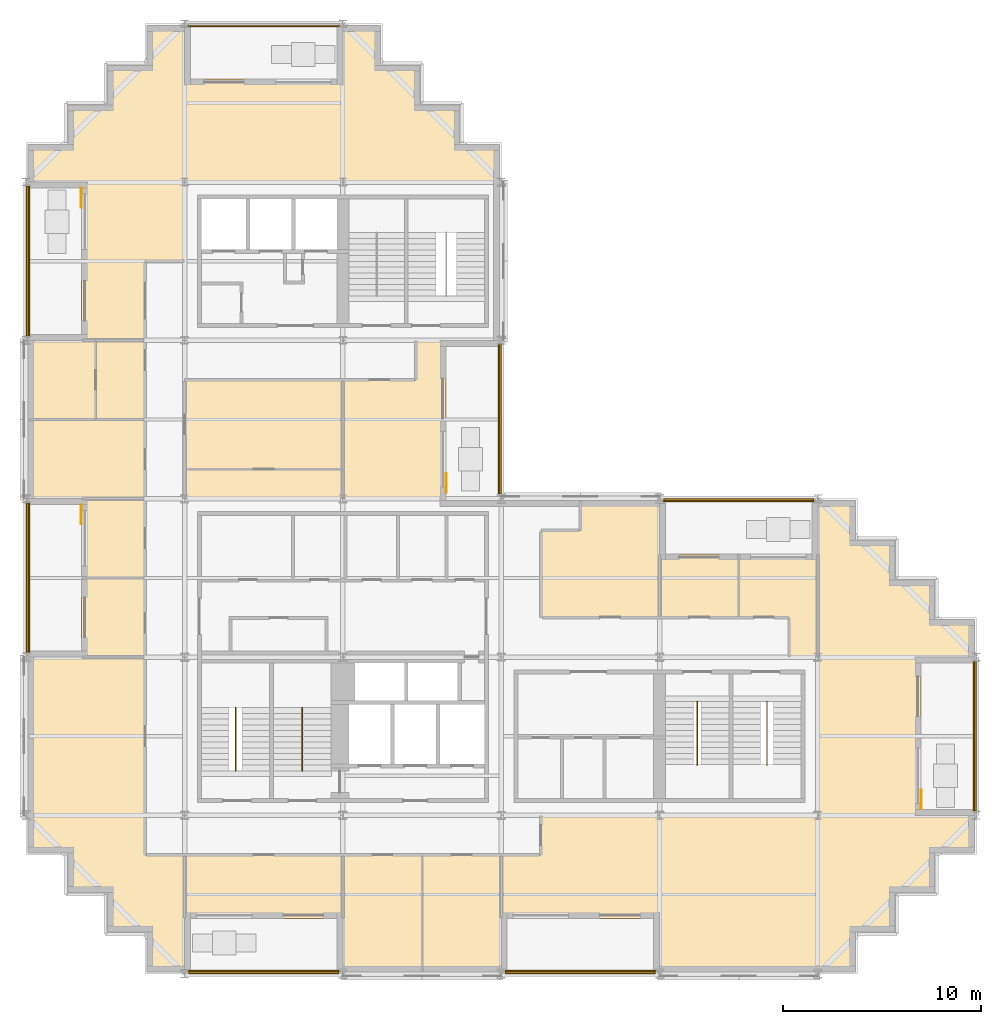
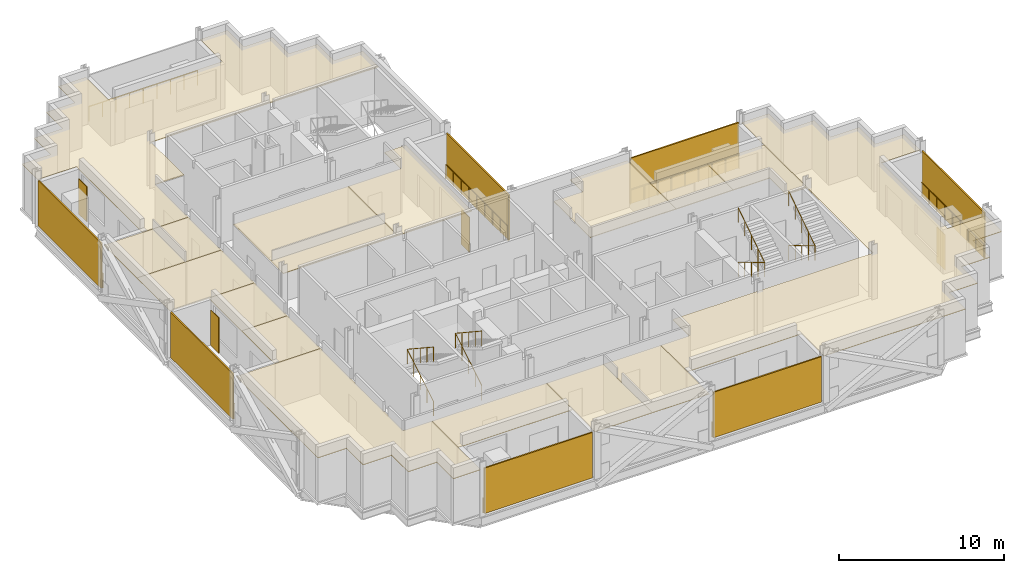
# One storey, part 10 of 12: 17 coverings, 12 railings, 11 shading devices.
"""IFC4 building model written with IfcOpenShell, lengths in metres."""

from ifc_helpers import new_model, si_unit, direction, frame, origin, origin_2d, place, context, subcontext, project, spatial, polyline, rectangle, circle, outline, extrude, material, layer, layer_set, type_object, element, save


model = new_model("IFC4")

# Units and contexts
model_context = context("Model", 3, precision=1e-05, world=origin(), true_north=direction((0.0, 1.0)))
body_context = subcontext(model_context, "Body", "Model", "MODEL_VIEW")
ifc_project = project(units=[si_unit("LENGTHUNIT", "METRE"), si_unit("AREAUNIT", "SQUARE_METRE"), si_unit("VOLUMEUNIT", "CUBIC_METRE"), si_unit("PLANEANGLEUNIT", "RADIAN"), si_unit("MASSUNIT", "GRAM", prefix="KILO")], contexts=[model_context])

# Site, building, storey
site_placement = place(None, origin())
site = spatial("IfcSite", under=ifc_project, at=site_placement, CompositionType="ELEMENT")
building_placement = place(site_placement, origin())
building = spatial("IfcBuilding", under=site, at=building_placement, Name="Immortelle Media Tower", CompositionType="ELEMENT")
storey_placement = place(building_placement, frame((0.0, 0.0, 145.199951171875)))
storey = spatial("IfcBuildingStorey", under=building, at=storey_placement, Name="L29", CompositionType="ELEMENT", Elevation=145.199951171875)

# Railings
ifc_material_1 = material(Name="Powder-coated aluminium fretwork panel, laminated glass backing", Category="aluminium")
railing_type_1 = type_object("IfcRailingType", Name="Fretwork balustrade 1100", PredefinedType="BALUSTRADE", material=ifc_material_1)
railing_1_placement = place(storey_placement, frame((8.20556640625, 0.139892578125, 0.0)))
element("IfcRailing", 1, at=railing_1_placement, inside=storey, type_object=railing_type_1, Name="Fretwork balustrade L29 S0", PredefinedType="BALUSTRADE", context=body_context, shape_type="SweptSolid", body=[
    extrude(circle(Radius=0.02490234375, at=origin_2d()), frame((0.0, 0.0, 1.0751953125), z_axis=(1.0, 0.0, 0.0), x_axis=(0.0, 1.0, 0.0)), (0.0, 0.0, 1.0), 7.58251953125),
    extrude(circle(Radius=0.02001953125, at=origin_2d()), origin(), (0.0, 0.0, 1.0), 1.050048828125),
    extrude(circle(Radius=0.02001953125, at=origin_2d()), frame((0.94775390625, 0.0, 0.0)), (0.0, 0.0, 1.0), 1.050048828125),
    extrude(circle(Radius=0.02001953125, at=origin_2d()), frame((1.8955078125, 0.0, 0.0)), (0.0, 0.0, 1.0), 1.050048828125),
    extrude(circle(Radius=0.02001953125, at=origin_2d()), frame((2.843505859375, 0.0, 0.0)), (0.0, 0.0, 1.0), 1.050048828125),
    extrude(circle(Radius=0.02001953125, at=origin_2d()), frame((3.791259765625, 0.0, 0.0)), (0.0, 0.0, 1.0), 1.050048828125),
    extrude(circle(Radius=0.02001953125, at=origin_2d()), frame((4.739013671875, 0.0, 0.0)), (0.0, 0.0, 1.0), 1.050048828125),
    extrude(circle(Radius=0.02001953125, at=origin_2d()), frame((5.68701171875, 0.0, 0.0)), (0.0, 0.0, 1.0), 1.050048828125),
    extrude(circle(Radius=0.02001953125, at=origin_2d()), frame((6.634765625, 0.0, 0.0)), (0.0, 0.0, 1.0), 1.050048828125),
    extrude(circle(Radius=0.02001953125, at=origin_2d()), frame((7.58251953125, 0.0, 0.0)), (0.0, 0.0, 1.0), 1.050048828125),
])
railing_2_placement = place(storey_placement, frame((24.2119140625, 0.139892578125, 0.0)))
element("IfcRailing", 2, at=railing_2_placement, inside=storey, type_object=railing_type_1, Name="Fretwork balustrade L29 S2", PredefinedType="BALUSTRADE", context=body_context, shape_type="SweptSolid", body=[
    extrude(circle(Radius=0.02490234375, at=origin_2d()), frame((0.0, 0.0, 1.0751953125), z_axis=(1.0, 0.0, 0.0), x_axis=(0.0, 1.0, 0.0)), (0.0, 0.0, 1.0), 7.576171875),
    extrude(circle(Radius=0.02001953125, at=origin_2d()), origin(), (0.0, 0.0, 1.0), 1.050048828125),
    extrude(circle(Radius=0.02001953125, at=origin_2d()), frame((0.947021484375, 0.0, 0.0)), (0.0, 0.0, 1.0), 1.050048828125),
    extrude(circle(Radius=0.02001953125, at=origin_2d()), frame((1.89404296875, 0.0, 0.0)), (0.0, 0.0, 1.0), 1.050048828125),
    extrude(circle(Radius=0.02001953125, at=origin_2d()), frame((2.841064453125, 0.0, 0.0)), (0.0, 0.0, 1.0), 1.050048828125),
    extrude(circle(Radius=0.02001953125, at=origin_2d()), frame((3.7880859375, 0.0, 0.0)), (0.0, 0.0, 1.0), 1.050048828125),
    extrude(circle(Radius=0.02001953125, at=origin_2d()), frame((4.735107421875, 0.0, 0.0)), (0.0, 0.0, 1.0), 1.050048828125),
    extrude(circle(Radius=0.02001953125, at=origin_2d()), frame((5.68212890625, 0.0, 0.0)), (0.0, 0.0, 1.0), 1.050048828125),
    extrude(circle(Radius=0.02001953125, at=origin_2d()), frame((6.629150390625, 0.0, 0.0)), (0.0, 0.0, 1.0), 1.050048828125),
    extrude(circle(Radius=0.02001953125, at=origin_2d()), frame((7.576171875, 0.0, 0.0)), (0.0, 0.0, 1.0), 1.050048828125),
])
railing_3_placement = place(storey_placement, frame((47.860107421875, 8.217041015625, 0.0)))
element("IfcRailing", 3, at=railing_3_placement, inside=storey, type_object=railing_type_1, Name="Fretwork balustrade L29 E0", PredefinedType="BALUSTRADE", context=body_context, shape_type="SweptSolid", body=[
    extrude(circle(Radius=0.02490234375, at=origin_2d()), frame((0.0, 0.0, 1.0751953125), z_axis=(0.0, 1.0, 0.0), x_axis=(-1.0, 0.0, 0.0)), (0.0, 0.0, 1.0), 7.56591796875),
    extrude(circle(Radius=0.02001953125, at=origin_2d()), origin(), (0.0, 0.0, 1.0), 1.050048828125),
    extrude(circle(Radius=0.02001953125, at=origin_2d()), frame((0.0, 0.94580078125, 0.0)), (0.0, 0.0, 1.0), 1.050048828125),
    extrude(circle(Radius=0.02001953125, at=origin_2d()), frame((0.0, 1.8916015625, 0.0)), (0.0, 0.0, 1.0), 1.050048828125),
    extrude(circle(Radius=0.02001953125, at=origin_2d()), frame((0.0, 2.837158203125, 0.0)), (0.0, 0.0, 1.0), 1.050048828125),
    extrude(circle(Radius=0.02001953125, at=origin_2d()), frame((0.0, 3.782958984375, 0.0)), (0.0, 0.0, 1.0), 1.050048828125),
    extrude(circle(Radius=0.02001953125, at=origin_2d()), frame((0.0, 4.728759765625, 0.0)), (0.0, 0.0, 1.0), 1.050048828125),
    extrude(circle(Radius=0.02001953125, at=origin_2d()), frame((0.0, 5.67431640625, 0.0)), (0.0, 0.0, 1.0), 1.050048828125),
    extrude(circle(Radius=0.02001953125, at=origin_2d()), frame((0.0, 6.6201171875, 0.0)), (0.0, 0.0, 1.0), 1.050048828125),
    extrude(circle(Radius=0.02001953125, at=origin_2d()), frame((0.0, 7.56591796875, 0.0)), (0.0, 0.0, 1.0), 1.050048828125),
])
railing_4_placement = place(storey_placement, frame((39.79443359375, 23.860107421875, 0.0)))
element("IfcRailing", 4, at=railing_4_placement, inside=storey, type_object=railing_type_1, Name="Fretwork balustrade L29 N0", PredefinedType="BALUSTRADE", context=body_context, shape_type="SweptSolid", body=[
    extrude(circle(Radius=0.02490234375, at=origin_2d()), frame((0.0, 0.0, 1.0751953125), z_axis=(-1.0, 0.0, 0.0), x_axis=(0.0, -1.0, 0.0)), (0.0, 0.0, 1.0), 7.58251953125),
    extrude(circle(Radius=0.02001953125, at=origin_2d()), origin(), (0.0, 0.0, 1.0), 1.050048828125),
    extrude(circle(Radius=0.02001953125, at=origin_2d()), frame((-0.94775390625, 0.0, 0.0)), (0.0, 0.0, 1.0), 1.050048828125),
    extrude(circle(Radius=0.02001953125, at=origin_2d()), frame((-1.8955078125, 0.0, 0.0)), (0.0, 0.0, 1.0), 1.050048828125),
    extrude(circle(Radius=0.02001953125, at=origin_2d()), frame((-2.843505859375, 0.0, 0.0)), (0.0, 0.0, 1.0), 1.050048828125),
    extrude(circle(Radius=0.02001953125, at=origin_2d()), frame((-3.791259765625, 0.0, 0.0)), (0.0, 0.0, 1.0), 1.050048828125),
    extrude(circle(Radius=0.02001953125, at=origin_2d()), frame((-4.739013671875, 0.0, 0.0)), (0.0, 0.0, 1.0), 1.050048828125),
    extrude(circle(Radius=0.02001953125, at=origin_2d()), frame((-5.68701171875, 0.0, 0.0)), (0.0, 0.0, 1.0), 1.050048828125),
    extrude(circle(Radius=0.02001953125, at=origin_2d()), frame((-6.634765625, 0.0, 0.0)), (0.0, 0.0, 1.0), 1.050048828125),
    extrude(circle(Radius=0.02001953125, at=origin_2d()), frame((-7.58251953125, 0.0, 0.0)), (0.0, 0.0, 1.0), 1.050048828125),
])
railing_5_placement = place(storey_placement, frame((23.860107421875, 24.237548828125, 0.0)))
element("IfcRailing", 5, at=railing_5_placement, inside=storey, type_object=railing_type_1, Name="Fretwork balustrade L29 E0", PredefinedType="BALUSTRADE", context=body_context, shape_type="SweptSolid", body=[
    extrude(circle(Radius=0.02490234375, at=origin_2d()), frame((0.0, 0.0, 1.0751953125), z_axis=(0.0, 1.0, 0.0), x_axis=(-1.0, 0.0, 0.0)), (0.0, 0.0, 1.0), 7.56298828125),
    extrude(circle(Radius=0.02001953125, at=origin_2d()), origin(), (0.0, 0.0, 1.0), 1.050048828125),
    extrude(circle(Radius=0.02001953125, at=origin_2d()), frame((0.0, 0.9453125, 0.0)), (0.0, 0.0, 1.0), 1.050048828125),
    extrude(circle(Radius=0.02001953125, at=origin_2d()), frame((0.0, 1.890625, 0.0)), (0.0, 0.0, 1.0), 1.050048828125),
    extrude(circle(Radius=0.02001953125, at=origin_2d()), frame((0.0, 2.836181640625, 0.0)), (0.0, 0.0, 1.0), 1.050048828125),
    extrude(circle(Radius=0.02001953125, at=origin_2d()), frame((0.0, 3.781494140625, 0.0)), (0.0, 0.0, 1.0), 1.050048828125),
    extrude(circle(Radius=0.02001953125, at=origin_2d()), frame((0.0, 4.726806640625, 0.0)), (0.0, 0.0, 1.0), 1.050048828125),
    extrude(circle(Radius=0.02001953125, at=origin_2d()), frame((0.0, 5.67236328125, 0.0)), (0.0, 0.0, 1.0), 1.050048828125),
    extrude(circle(Radius=0.02001953125, at=origin_2d()), frame((0.0, 6.61767578125, 0.0)), (0.0, 0.0, 1.0), 1.050048828125),
    extrude(circle(Radius=0.02001953125, at=origin_2d()), frame((0.0, 7.56298828125, 0.0)), (0.0, 0.0, 1.0), 1.050048828125),
])
railing_6_placement = place(storey_placement, frame((15.802978515625, 47.860107421875, 0.0)))
element("IfcRailing", 6, at=railing_6_placement, inside=storey, type_object=railing_type_1, Name="Fretwork balustrade L29 N0", PredefinedType="BALUSTRADE", context=body_context, shape_type="SweptSolid", body=[
    extrude(circle(Radius=0.02490234375, at=origin_2d()), frame((0.0, 0.0, 1.0751953125), z_axis=(-1.0, 0.0, 0.0), x_axis=(0.0, -1.0, 0.0)), (0.0, 0.0, 1.0), 7.60595703125),
    extrude(circle(Radius=0.02001953125, at=origin_2d()), origin(), (0.0, 0.0, 1.0), 1.050048828125),
    extrude(circle(Radius=0.02001953125, at=origin_2d()), frame((-0.95068359375, 0.0, 0.0)), (0.0, 0.0, 1.0), 1.050048828125),
    extrude(circle(Radius=0.02001953125, at=origin_2d()), frame((-1.9013671875, 0.0, 0.0)), (0.0, 0.0, 1.0), 1.050048828125),
    extrude(circle(Radius=0.02001953125, at=origin_2d()), frame((-2.852294921875, 0.0, 0.0)), (0.0, 0.0, 1.0), 1.050048828125),
    extrude(circle(Radius=0.02001953125, at=origin_2d()), frame((-3.802978515625, 0.0, 0.0)), (0.0, 0.0, 1.0), 1.050048828125),
    extrude(circle(Radius=0.02001953125, at=origin_2d()), frame((-4.753662109375, 0.0, 0.0)), (0.0, 0.0, 1.0), 1.050048828125),
    extrude(circle(Radius=0.02001953125, at=origin_2d()), frame((-5.70458984375, 0.0, 0.0)), (0.0, 0.0, 1.0), 1.050048828125),
    extrude(circle(Radius=0.02001953125, at=origin_2d()), frame((-6.6552734375, 0.0, 0.0)), (0.0, 0.0, 1.0), 1.050048828125),
    extrude(circle(Radius=0.02001953125, at=origin_2d()), frame((-7.60595703125, 0.0, 0.0)), (0.0, 0.0, 1.0), 1.050048828125),
])
railing_7_placement = place(storey_placement, frame((0.139892578125, 39.81201171875, 0.0)))
element("IfcRailing", 7, at=railing_7_placement, inside=storey, type_object=railing_type_1, Name="Fretwork balustrade L29 W0", PredefinedType="BALUSTRADE", context=body_context, shape_type="SweptSolid", body=[
    extrude(circle(Radius=0.02490234375, at=origin_2d()), frame((0.0, 0.0, 1.0751953125), z_axis=(0.0, -1.0, 0.0), x_axis=(1.0, 0.0, 0.0)), (0.0, 0.0, 1.0), 7.612548828125),
    extrude(circle(Radius=0.02001953125, at=origin_2d()), origin(), (0.0, 0.0, 1.0), 1.050048828125),
    extrude(circle(Radius=0.02001953125, at=origin_2d()), frame((0.0, -0.95166015625, 0.0)), (0.0, 0.0, 1.0), 1.050048828125),
    extrude(circle(Radius=0.02001953125, at=origin_2d()), frame((0.0, -1.903076171875, 0.0)), (0.0, 0.0, 1.0), 1.050048828125),
    extrude(circle(Radius=0.02001953125, at=origin_2d()), frame((0.0, -2.854736328125, 0.0)), (0.0, 0.0, 1.0), 1.050048828125),
    extrude(circle(Radius=0.02001953125, at=origin_2d()), frame((0.0, -3.80615234375, 0.0)), (0.0, 0.0, 1.0), 1.050048828125),
    extrude(circle(Radius=0.02001953125, at=origin_2d()), frame((0.0, -4.7578125, 0.0)), (0.0, 0.0, 1.0), 1.050048828125),
    extrude(circle(Radius=0.02001953125, at=origin_2d()), frame((0.0, -5.70947265625, 0.0)), (0.0, 0.0, 1.0), 1.050048828125),
    extrude(circle(Radius=0.02001953125, at=origin_2d()), frame((0.0, -6.660888671875, 0.0)), (0.0, 0.0, 1.0), 1.050048828125),
    extrude(circle(Radius=0.02001953125, at=origin_2d()), frame((0.0, -7.612548828125, 0.0)), (0.0, 0.0, 1.0), 1.050048828125),
])
railing_8_placement = place(storey_placement, frame((0.139892578125, 23.800537109375, 0.0)))
element("IfcRailing", 8, at=railing_8_placement, inside=storey, type_object=railing_type_1, Name="Fretwork balustrade L29 W2", PredefinedType="BALUSTRADE", context=body_context, shape_type="SweptSolid", body=[
    extrude(circle(Radius=0.02490234375, at=origin_2d()), frame((0.0, 0.0, 1.0751953125), z_axis=(0.0, -1.0, 0.0), x_axis=(1.0, 0.0, 0.0)), (0.0, 0.0, 1.0), 7.56298828125),
    extrude(circle(Radius=0.02001953125, at=origin_2d()), origin(), (0.0, 0.0, 1.0), 1.050048828125),
    extrude(circle(Radius=0.02001953125, at=origin_2d()), frame((0.0, -0.9453125, 0.0)), (0.0, 0.0, 1.0), 1.050048828125),
    extrude(circle(Radius=0.02001953125, at=origin_2d()), frame((0.0, -1.890625, 0.0)), (0.0, 0.0, 1.0), 1.050048828125),
    extrude(circle(Radius=0.02001953125, at=origin_2d()), frame((0.0, -2.836181640625, 0.0)), (0.0, 0.0, 1.0), 1.050048828125),
    extrude(circle(Radius=0.02001953125, at=origin_2d()), frame((0.0, -3.781494140625, 0.0)), (0.0, 0.0, 1.0), 1.050048828125),
    extrude(circle(Radius=0.02001953125, at=origin_2d()), frame((0.0, -4.726806640625, 0.0)), (0.0, 0.0, 1.0), 1.050048828125),
    extrude(circle(Radius=0.02001953125, at=origin_2d()), frame((0.0, -5.67236328125, 0.0)), (0.0, 0.0, 1.0), 1.050048828125),
    extrude(circle(Radius=0.02001953125, at=origin_2d()), frame((0.0, -6.61767578125, 0.0)), (0.0, 0.0, 1.0), 1.050048828125),
    extrude(circle(Radius=0.02001953125, at=origin_2d()), frame((0.0, -7.56298828125, 0.0)), (0.0, 0.0, 1.0), 1.050048828125),
])

# Shading devices
ifc_material_2 = material(Name="Pale aluminium louvre blades", Category="aluminium")
ifc_layer_1 = layer(ifc_material_2, 0.10009765625)
ifc_layer_set_1 = layer_set([ifc_layer_1], Name="Pale aluminium louvre blades")
shading_device_type_1 = type_object("IfcShadingDeviceType", Name="Jalousie screen 100", PredefinedType="JALOUSIE", material=ifc_layer_set_1)
shading_device_1_placement = place(storey_placement, frame((11.996826171875, 0.050048828125, 0.0), z_axis=(0.0, 0.0, 1.0), x_axis=(1.0, 0.0, 0.0)))
element("IfcShadingDevice", 9, at=shading_device_1_placement, inside=storey, type_object=shading_device_type_1, Name="Jalousie screen L29 S0", PredefinedType="JALOUSIE", context=body_context, shape_type="SweptSolid", body=[
    extrude(rectangle(XDim=7.58251953125, YDim=0.10009765625, at=origin_2d()), origin(), (0.0, 0.0, 1.0), 3.35693359375),
])
shading_device_2_placement = place(storey_placement, frame((28.0, 0.050048828125, 0.0), z_axis=(0.0, 0.0, 1.0), x_axis=(1.0, 0.0, 0.0)))
element("IfcShadingDevice", 10, at=shading_device_2_placement, inside=storey, type_object=shading_device_type_1, Name="Jalousie screen L29 S2", PredefinedType="JALOUSIE", context=body_context, shape_type="SweptSolid", body=[
    extrude(rectangle(XDim=7.575927734375, YDim=0.10009765625, at=origin_2d()), origin(), (0.0, 0.0, 1.0), 3.35693359375),
])
shading_device_3_placement = place(storey_placement, frame((47.949951171875, 12.0, 0.0), z_axis=(0.0, 0.0, 1.0), x_axis=(0.0, 1.0, 0.0)))
element("IfcShadingDevice", 11, at=shading_device_3_placement, inside=storey, type_object=shading_device_type_1, Name="Jalousie screen L29 E0", PredefinedType="JALOUSIE", context=body_context, shape_type="SweptSolid", body=[
    extrude(rectangle(XDim=7.56591796875, YDim=0.10009765625, at=origin_2d()), origin(), (0.0, 0.0, 1.0), 3.35693359375),
])
shading_device_4_placement = place(storey_placement, frame((36.003173828125, 23.949951171875, 0.0), z_axis=(0.0, 0.0, 1.0), x_axis=(-1.0, 0.0, 0.0)))
element("IfcShadingDevice", 12, at=shading_device_4_placement, inside=storey, type_object=shading_device_type_1, Name="Jalousie screen L29 N0", PredefinedType="JALOUSIE", context=body_context, shape_type="SweptSolid", body=[
    extrude(rectangle(XDim=7.58251953125, YDim=0.10009765625, at=origin_2d()), origin(), (0.0, 0.0, 1.0), 3.35693359375),
])
shading_device_5_placement = place(storey_placement, frame((23.949951171875, 28.01904296875, 0.0), z_axis=(0.0, 0.0, 1.0), x_axis=(0.0, 1.0, 0.0)))
element("IfcShadingDevice", 13, at=shading_device_5_placement, inside=storey, type_object=shading_device_type_1, Name="Jalousie screen L29 E0", PredefinedType="JALOUSIE", context=body_context, shape_type="SweptSolid", body=[
    extrude(rectangle(XDim=7.56298828125, YDim=0.10009765625, at=origin_2d()), origin(), (0.0, 0.0, 1.0), 3.35693359375),
])
shading_device_6_placement = place(storey_placement, frame((0.050048828125, 36.005859375, 0.0), z_axis=(0.0, 0.0, 1.0), x_axis=(0.0, -1.0, 0.0)))
element("IfcShadingDevice", 14, at=shading_device_6_placement, inside=storey, type_object=shading_device_type_1, Name="Jalousie screen L29 W0", PredefinedType="JALOUSIE", context=body_context, shape_type="SweptSolid", body=[
    extrude(rectangle(XDim=7.612548828125, YDim=0.10009765625, at=origin_2d()), origin(), (0.0, 0.0, 1.0), 3.35693359375),
])
shading_device_7_placement = place(storey_placement, frame((0.050048828125, 20.01904296875, 0.0), z_axis=(0.0, 0.0, 1.0), x_axis=(0.0, -1.0, 0.0)))
element("IfcShadingDevice", 15, at=shading_device_7_placement, inside=storey, type_object=shading_device_type_1, Name="Jalousie screen L29 W2", PredefinedType="JALOUSIE", context=body_context, shape_type="SweptSolid", body=[
    extrude(rectangle(XDim=7.56298828125, YDim=0.10009765625, at=origin_2d()), origin(), (0.0, 0.0, 1.0), 3.35693359375),
])
ifc_material_3 = material(Name="Pale aluminium louvre blades in a folding frame", Category="aluminium")
ifc_layer_2 = layer(ifc_material_3, 0.050048828125)
ifc_layer_set_2 = layer_set([ifc_layer_2], Name="Pale aluminium louvre blades in a folding frame")
shading_device_type_2 = type_object("IfcShadingDeviceType", Name="Louvred loggia shutter", PredefinedType="SHUTTER", material=ifc_layer_set_2)
for number, where, z_axis, x_axis, name in (
    (16, (45.22509765625, 8.800048828125, 0.0), (0.0, 0.0, 1.0), (0.0, 1.0, 0.0), "Loggia shutter L29 E0"),
    (17, (21.22509765625, 24.800048828125, 0.0), (0.0, 0.0, 1.0), (0.0, 1.0, 0.0), "Loggia shutter L29 E0"),
    (18, (2.77490234375, 39.199951171875, 0.0), (0.0, 0.0, 1.0), (0.0, -1.0, 0.0), "Loggia shutter L29 W0"),
    (19, (2.77490234375, 23.199951171875, 0.0), (0.0, 0.0, 1.0), (0.0, -1.0, 0.0), "Loggia shutter L29 W2"),
):
    element("IfcShadingDevice", number, at=place(storey_placement, frame(where, z_axis=z_axis, x_axis=x_axis)), inside=storey, type_object=shading_device_type_2, Name=name, PredefinedType="SHUTTER", context=body_context, shape_type="SweptSolid", body=[
        extrude(rectangle(XDim=1.0, YDim=0.050048828125, at=origin_2d()), origin(), (0.0, 0.0, 1.0), 2.60009765625),
    ])

# Railings
ifc_material_4 = material(Name="Stainless steel AISI 316", Category="steel")
railing_type_2 = type_object("IfcRailingType", Name="Stair guard 1100", PredefinedType="GUARDRAIL", material=ifc_material_4)
for number, where, name in (
    (20, (10.574951171875, 10.25, 0.175048828125), "Stair guard SW1"),
    (21, (13.949951171875, 10.25, 0.175048828125), "Stair guard SW2"),
):
    element("IfcRailing", number, at=place(storey_placement, frame(where)), inside=storey, type_object=railing_type_2, Name=name, PredefinedType="GUARDRAIL", context=body_context, shape_type="SweptSolid", body=[
        extrude(circle(Radius=0.02392578125, at=origin_2d()), frame((0.0, 0.0, 1.076171875), z_axis=(0.0, 0.856177665481, 0.516681531633), x_axis=(-1.0, 0.0, 0.0)), (0.0, 0.0, 1.0), 3.725830078125),
        extrude(circle(Radius=0.02392578125, at=origin_2d()), frame((0.0, 3.18994140625, 3.0009765625), z_axis=(0.0, -0.835271834381, 0.549837214719), x_axis=(1.0, 0.0, 0.0)), (0.0, 0.0, 1.0), 3.819091796875),
        extrude(circle(Radius=0.02099609375, at=origin_2d()), origin(), (0.0, 0.0, 1.0), 1.052001953125),
        extrude(circle(Radius=0.02099609375, at=origin_2d()), frame((0.0, 0.79736328125, 0.481201171875)), (0.0, 0.0, 1.0), 1.052001953125),
        extrude(circle(Radius=0.02099609375, at=origin_2d()), frame((0.0, 1.594970703125, 0.96240234375)), (0.0, 0.0, 1.0), 1.052001953125),
        extrude(circle(Radius=0.02099609375, at=origin_2d()), frame((0.0, 2.392578125, 1.44384765625)), (0.0, 0.0, 1.0), 1.052001953125),
        extrude(circle(Radius=0.02099609375, at=origin_2d()), frame((0.0, 3.18994140625, 1.925048828125)), (0.0, 0.0, 1.0), 1.052001953125),
        extrude(circle(Radius=0.02099609375, at=origin_2d()), frame((0.0, 2.392578125, 2.449951171875)), (0.0, 0.0, 1.0), 1.052001953125),
        extrude(circle(Radius=0.02099609375, at=origin_2d()), frame((0.0, 1.594970703125, 2.97509765625)), (0.0, 0.0, 1.0), 1.052001953125),
        extrude(circle(Radius=0.02099609375, at=origin_2d()), frame((0.0, 0.79736328125, 3.5)), (0.0, 0.0, 1.0), 1.052001953125),
        extrude(circle(Radius=0.02099609375, at=origin_2d()), frame((0.0, 0.0, 4.02490234375)), (0.0, 0.0, 1.0), 1.052001953125),
    ])
for number, where, name in (
    (22, (33.89990234375, 13.75, 0.175048828125), "Stair guard SE1"),
    (23, (37.425048828125, 13.75, 0.175048828125), "Stair guard SE2"),
):
    element("IfcRailing", number, at=place(storey_placement, frame(where)), inside=storey, type_object=railing_type_2, Name=name, PredefinedType="GUARDRAIL", context=body_context, shape_type="SweptSolid", body=[
        extrude(circle(Radius=0.02392578125, at=origin_2d()), frame((0.0, 0.0, 1.076171875), z_axis=(0.0, -0.856177665481, 0.516681531633), x_axis=(1.0, 0.0, 0.0)), (0.0, 0.0, 1.0), 3.725830078125),
        extrude(circle(Radius=0.02392578125, at=origin_2d()), frame((0.0, -3.18994140625, 3.0009765625), z_axis=(0.0, 0.835271834381, 0.549837214719), x_axis=(-1.0, 0.0, 0.0)), (0.0, 0.0, 1.0), 3.819091796875),
        extrude(circle(Radius=0.02099609375, at=origin_2d()), origin(), (0.0, 0.0, 1.0), 1.052001953125),
        extrude(circle(Radius=0.02099609375, at=origin_2d()), frame((0.0, -0.79736328125, 0.481201171875)), (0.0, 0.0, 1.0), 1.052001953125),
        extrude(circle(Radius=0.02099609375, at=origin_2d()), frame((0.0, -1.594970703125, 0.96240234375)), (0.0, 0.0, 1.0), 1.052001953125),
        extrude(circle(Radius=0.02099609375, at=origin_2d()), frame((0.0, -2.392578125, 1.44384765625)), (0.0, 0.0, 1.0), 1.052001953125),
        extrude(circle(Radius=0.02099609375, at=origin_2d()), frame((0.0, -3.18994140625, 1.925048828125)), (0.0, 0.0, 1.0), 1.052001953125),
        extrude(circle(Radius=0.02099609375, at=origin_2d()), frame((0.0, -2.392578125, 2.449951171875)), (0.0, 0.0, 1.0), 1.052001953125),
        extrude(circle(Radius=0.02099609375, at=origin_2d()), frame((0.0, -1.594970703125, 2.97509765625)), (0.0, 0.0, 1.0), 1.052001953125),
        extrude(circle(Radius=0.02099609375, at=origin_2d()), frame((0.0, -0.79736328125, 3.5)), (0.0, 0.0, 1.0), 1.052001953125),
        extrude(circle(Radius=0.02099609375, at=origin_2d()), frame((0.0, 0.0, 4.02490234375)), (0.0, 0.0, 1.0), 1.052001953125),
    ])

# Coverings
ifc_material_5 = material(Name="Mineral fibre tile ceiling")
ifc_layer_3 = layer(ifc_material_5, 0.050048828125)
ifc_layer_set_3 = layer_set([ifc_layer_3], Name="Mineral fibre tile ceiling")
covering_type = type_object("IfcCoveringType", Name="Suspended ceiling 50", PredefinedType="CEILING", material=ifc_layer_set_3)
covering_1_placement = place(storey_placement, frame((0.0, 0.0, 3.238037109375)))
element("IfcCovering", 24, at=covering_1_placement, inside=storey, type_object=covering_type, Name="Ceiling L29-001", PredefinedType="CEILING", context=body_context, shape_type="SweptSolid", body=[
    extrude(outline(polyline([(16.0, 2.800048828125), (16.0, 6.0), (20.0, 6.0), (20.0, 0.10009765625), (16.0, 0.10009765625), (16.0, 2.800048828125)])), origin(), (0.0, 0.0, 1.0), 0.050048828125),
])
covering_2_placement = place(storey_placement, frame((0.0, 0.0, 3.238037109375)))
element("IfcCovering", 25, at=covering_2_placement, inside=storey, type_object=covering_type, Name="Ceiling L29-002", PredefinedType="CEILING", context=body_context, shape_type="SweptSolid", body=[
    extrude(outline(polyline([(24.0, 6.0), (24.0, 2.800048828125), (24.0, 0.10009765625), (20.0, 0.10009765625), (20.0, 6.0), (24.0, 6.0)])), origin(), (0.0, 0.0, 1.0), 0.050048828125),
])
covering_3_placement = place(storey_placement, frame((0.0, 0.0, 3.238037109375)))
element("IfcCovering", 26, at=covering_3_placement, inside=storey, type_object=covering_type, Name="Ceiling L29-003", PredefinedType="CEILING", context=body_context, shape_type="SweptSolid", body=[
    extrude(outline(polyline([(8.0, 2.800048828125), (8.0, 6.0), (16.0, 6.0), (16.0, 2.800048828125), (8.0, 2.800048828125)])), origin(), (0.0, 0.0, 1.0), 0.050048828125),
])
covering_4_placement = place(storey_placement, frame((0.0, 0.0, 3.238037109375)))
element("IfcCovering", 27, at=covering_4_placement, inside=storey, type_object=covering_type, Name="Ceiling L29-004", PredefinedType="CEILING", context=body_context, shape_type="SweptSolid", body=[
    extrude(outline(polyline([(26.0, 6.0), (26.0, 8.0), (32.0, 8.0), (40.0, 8.0), (40.0, 16.0), (40.0, 21.199951171875), (40.0, 23.89990234375), (41.89990234375, 23.89990234375), (41.89990234375, 21.89990234375), (43.89990234375, 21.89990234375), (43.89990234375, 19.89990234375), (45.89990234375, 19.89990234375), (45.89990234375, 17.89990234375), (47.89990234375, 17.89990234375), (47.89990234375, 16.0), (45.199951171875, 16.0), (45.199951171875, 8.0), (47.89990234375, 8.0), (47.89990234375, 6.10009765625), (45.89990234375, 6.10009765625), (45.89990234375, 4.10009765625), (43.89990234375, 4.10009765625), (43.89990234375, 2.10009765625), (41.89990234375, 2.10009765625), (41.89990234375, 0.10009765625), (40.0, 0.10009765625), (32.0, 0.10009765625), (32.0, 2.800048828125), (24.0, 2.800048828125), (24.0, 6.0), (26.0, 6.0)])), origin(), (0.0, 0.0, 1.0), 0.050048828125),
])
covering_5_placement = place(storey_placement, frame((0.0, 0.0, 3.238037109375)))
element("IfcCovering", 28, at=covering_5_placement, inside=storey, type_object=covering_type, Name="Ceiling L29-005", PredefinedType="CEILING", context=body_context, shape_type="SweptSolid", body=[
    extrude(outline(polyline([(6.10009765625, 2.10009765625), (4.10009765625, 2.10009765625), (4.10009765625, 4.10009765625), (2.10009765625, 4.10009765625), (2.10009765625, 6.10009765625), (0.10009765625, 6.10009765625), (0.10009765625, 8.0), (0.10009765625, 16.0), (2.800048828125, 16.0), (6.0, 16.0), (6.0, 8.0), (6.0, 6.0), (8.0, 6.0), (8.0, 2.800048828125), (8.0, 0.10009765625), (6.10009765625, 0.10009765625), (6.10009765625, 2.10009765625)])), origin(), (0.0, 0.0, 1.0), 0.050048828125),
])
covering_6_placement = place(storey_placement, frame((0.0, 0.0, 3.238037109375)))
element("IfcCovering", 29, at=covering_6_placement, inside=storey, type_object=covering_type, Name="Ceiling L29-006", PredefinedType="CEILING", context=body_context, shape_type="SweptSolid", body=[
    extrude(outline(polyline([(32.0, 18.0), (32.0, 21.199951171875), (36.0, 21.199951171875), (36.0, 18.0), (32.0, 18.0)])), origin(), (0.0, 0.0, 1.0), 0.050048828125),
])
covering_7_placement = place(storey_placement, frame((0.0, 0.0, 3.238037109375)))
element("IfcCovering", 30, at=covering_7_placement, inside=storey, type_object=covering_type, Name="Ceiling L29-007", PredefinedType="CEILING", context=body_context, shape_type="SweptSolid", body=[
    extrude(outline(polyline([(38.550048828125, 18.0), (36.0, 18.0), (36.0, 21.199951171875), (40.0, 21.199951171875), (40.0, 16.0), (38.550048828125, 16.0), (38.550048828125, 18.0)])), origin(), (0.0, 0.0, 1.0), 0.050048828125),
])
covering_8_placement = place(storey_placement, frame((0.0, 0.0, 3.238037109375)))
element("IfcCovering", 31, at=covering_8_placement, inside=storey, type_object=covering_type, Name="Ceiling L29-008", PredefinedType="CEILING", context=body_context, shape_type="SweptSolid", body=[
    extrude(outline(polyline([(6.0, 16.0), (2.800048828125, 16.0), (2.800048828125, 20.0), (6.0, 20.0), (6.0, 19.449951171875), (6.0, 16.0)])), origin(), (0.0, 0.0, 1.0), 0.050048828125),
])
covering_9_placement = place(storey_placement, frame((0.0, 0.0, 3.238037109375)))
element("IfcCovering", 32, at=covering_9_placement, inside=storey, type_object=covering_type, Name="Ceiling L29-009", PredefinedType="CEILING", context=body_context, shape_type="SweptSolid", body=[
    extrude(outline(polyline([(2.800048828125, 24.0), (6.0, 24.0), (6.0, 20.0), (2.800048828125, 20.0), (2.800048828125, 24.0)])), origin(), (0.0, 0.0, 1.0), 0.050048828125),
])
covering_10_placement = place(storey_placement, frame((0.0, 0.0, 3.238037109375)))
element("IfcCovering", 33, at=covering_10_placement, inside=storey, type_object=covering_type, Name="Ceiling L29-010", PredefinedType="CEILING", context=body_context, shape_type="SweptSolid", body=[
    extrude(outline(polyline([(27.0, 18.0), (26.0, 18.0), (26.0, 19.449951171875), (26.0, 22.39990234375), (28.0, 22.39990234375), (28.0, 23.89990234375), (32.0, 23.89990234375), (32.0, 21.199951171875), (32.0, 18.0), (27.0, 18.0)])), origin(), (0.0, 0.0, 1.0), 0.050048828125),
])
covering_11_placement = place(storey_placement, frame((0.0, 0.0, 3.238037109375)))
element("IfcCovering", 34, at=covering_11_placement, inside=storey, type_object=covering_type, Name="Ceiling L29-011", PredefinedType="CEILING", context=body_context, shape_type="SweptSolid", body=[
    extrude(outline(polyline([(8.0, 30.0), (12.199951171875, 30.0), (12.39990234375, 30.0), (16.0, 30.0), (16.0, 25.5), (8.0, 25.5), (8.0, 30.0)])), origin(), (0.0, 0.0, 1.0), 0.050048828125),
])
covering_12_placement = place(storey_placement, frame((0.0, 0.0, 3.238037109375)))
element("IfcCovering", 35, at=covering_12_placement, inside=storey, type_object=covering_type, Name="Ceiling L29-012", PredefinedType="CEILING", context=body_context, shape_type="SweptSolid", body=[
    extrude(outline(polyline([(8.0, 25.5), (16.0, 25.5), (16.0, 24.0), (8.0, 24.0), (8.0, 25.5)])), origin(), (0.0, 0.0, 1.0), 0.050048828125),
])
covering_13_placement = place(storey_placement, frame((0.0, 0.0, 3.238037109375)))
element("IfcCovering", 36, at=covering_13_placement, inside=storey, type_object=covering_type, Name="Ceiling L29-013", PredefinedType="CEILING", context=body_context, shape_type="SweptSolid", body=[
    extrude(outline(polyline([(16.0, 24.0), (16.0, 30.0), (19.699951171875, 30.0), (19.699951171875, 32.0), (21.199951171875, 32.0), (21.199951171875, 24.0), (16.0, 24.0)])), origin(), (0.0, 0.0, 1.0), 0.050048828125),
])
covering_14_placement = place(storey_placement, frame((0.0, 0.0, 3.238037109375)))
element("IfcCovering", 37, at=covering_14_placement, inside=storey, type_object=covering_type, Name="Ceiling L29-014", PredefinedType="CEILING", context=body_context, shape_type="SweptSolid", body=[
    extrude(outline(polyline([(6.0, 24.0), (2.800048828125, 24.0), (0.10009765625, 24.0), (0.10009765625, 28.0), (6.0, 28.0), (6.0, 24.0)])), origin(), (0.0, 0.0, 1.0), 0.050048828125),
])
covering_15_placement = place(storey_placement, frame((0.0, 0.0, 3.238037109375)))
element("IfcCovering", 38, at=covering_15_placement, inside=storey, type_object=covering_type, Name="Ceiling L29-015", PredefinedType="CEILING", context=body_context, shape_type="SweptSolid", body=[
    extrude(outline(polyline([(3.5, 28.0), (3.5, 32.0), (6.0, 32.0), (6.0, 30.0), (6.0, 28.0), (3.5, 28.0)])), origin(), (0.0, 0.0, 1.0), 0.050048828125),
])
covering_16_placement = place(storey_placement, frame((0.0, 0.0, 3.238037109375)))
element("IfcCovering", 39, at=covering_16_placement, inside=storey, type_object=covering_type, Name="Ceiling L29-016", PredefinedType="CEILING", context=body_context, shape_type="SweptSolid", body=[
    extrude(outline(polyline([(0.10009765625, 28.0), (0.10009765625, 32.0), (2.800048828125, 32.0), (3.5, 32.0), (3.5, 28.0), (0.10009765625, 28.0)])), origin(), (0.0, 0.0, 1.0), 0.050048828125),
])
covering_17_placement = place(storey_placement, frame((0.0, 0.0, 3.238037109375)))
element("IfcCovering", 40, at=covering_17_placement, inside=storey, type_object=covering_type, Name="Ceiling L29-017", PredefinedType="CEILING", context=body_context, shape_type="SweptSolid", body=[
    extrude(outline(polyline([(2.800048828125, 40.0), (0.10009765625, 40.0), (0.10009765625, 41.89990234375), (2.10009765625, 41.89990234375), (2.10009765625, 43.89990234375), (4.10009765625, 43.89990234375), (4.10009765625, 45.89990234375), (6.10009765625, 45.89990234375), (6.10009765625, 47.89990234375), (8.0, 47.89990234375), (8.0, 45.199951171875), (16.0, 45.199951171875), (16.0, 47.89990234375), (17.89990234375, 47.89990234375), (17.89990234375, 45.89990234375), (19.89990234375, 45.89990234375), (19.89990234375, 43.89990234375), (21.89990234375, 43.89990234375), (21.89990234375, 41.89990234375), (23.89990234375, 41.89990234375), (23.89990234375, 40.0), (16.0, 40.0), (8.0, 40.0), (8.0, 36.0), (6.0, 36.0), (6.0, 32.0), (2.800048828125, 32.0), (2.800048828125, 40.0)])), origin(), (0.0, 0.0, 1.0), 0.050048828125),
])

save(model, "model.ifc")
